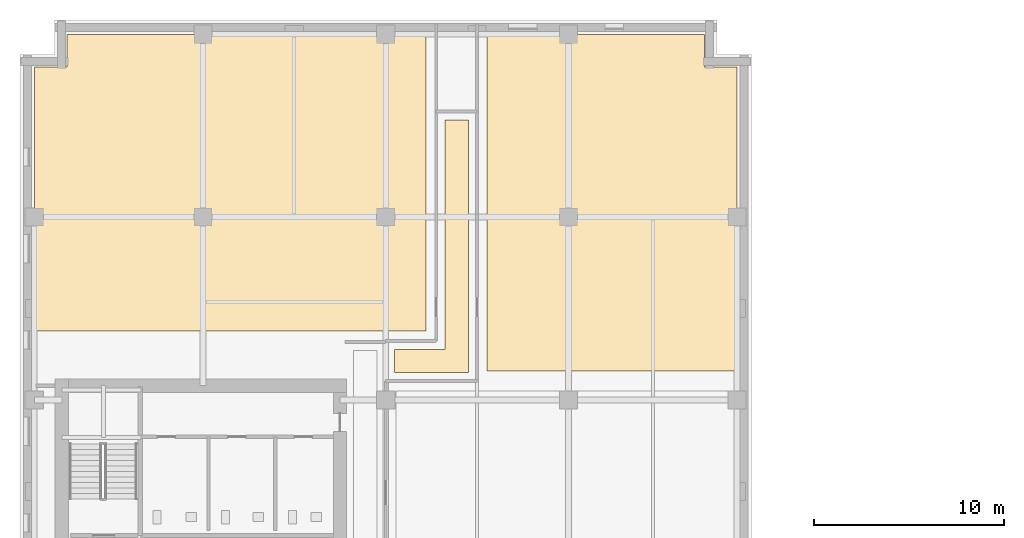
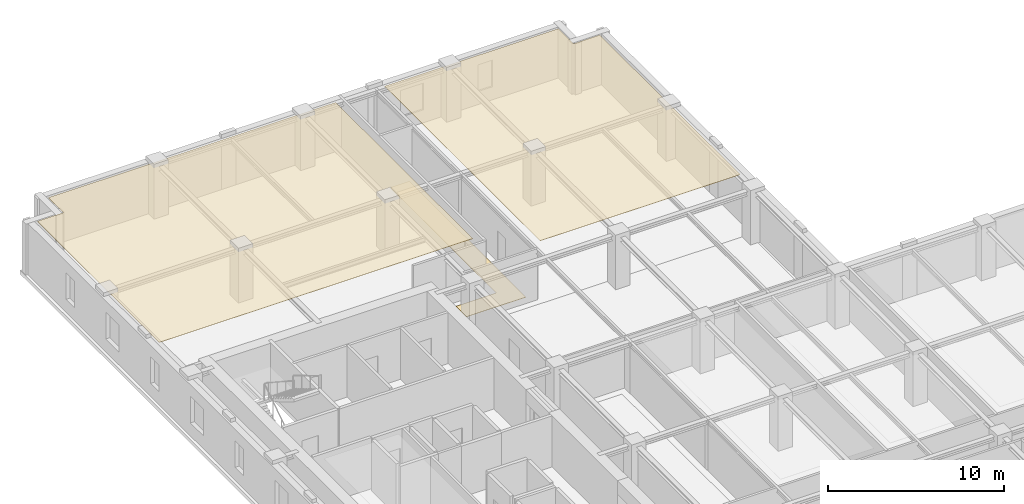
# One storey, part 12 of 13: 3 coverings.
"""IFC4 building model written with IfcOpenShell, lengths in metres."""

from ifc_helpers import new_model, si_unit, direction, frame, origin, place, context, subcontext, project, spatial, polyline, outline, extrude, material, layer, layer_set, type_object, element, save


model = new_model("IFC4")

# Units and contexts
model_context = context("Model", 3, precision=1e-05, world=origin(), true_north=direction((0.0, 1.0)))
body_context = subcontext(model_context, "Body", "Model", "MODEL_VIEW")
ifc_project = project(units=[si_unit("LENGTHUNIT", "METRE"), si_unit("AREAUNIT", "SQUARE_METRE"), si_unit("VOLUMEUNIT", "CUBIC_METRE"), si_unit("PLANEANGLEUNIT", "RADIAN"), si_unit("MASSUNIT", "GRAM", prefix="KILO")], contexts=[model_context])

# Site, building, storey
site_placement = place(None, origin())
site = spatial("IfcSite", under=ifc_project, at=site_placement, CompositionType="ELEMENT")
building_placement = place(site_placement, origin())
building = spatial("IfcBuilding", under=site, at=building_placement, Name="Norrvale University Quadrangle", CompositionType="ELEMENT")
storey_placement = place(building_placement, frame((0.0, 0.0, 175.0)))
storey = spatial("IfcBuildingStorey", under=building, at=storey_placement, Name="L44", CompositionType="ELEMENT", Elevation=175.0)

# Coverings
ifc_material_1 = material(Name="Perforated Acoustic Mineral Ceiling")
ifc_layer_1 = layer(ifc_material_1, 0.02490234375, Name="Perforated Acoustic Mineral Ceiling")
ifc_layer_set_1 = layer_set([ifc_layer_1], Name="Perforated Acoustic Mineral Ceiling")
covering_type_1 = type_object("IfcCoveringType", Name="Covering Acoustic Ceiling 25", PredefinedType="CEILING", material=ifc_layer_set_1)
covering_1_placement = place(storey_placement, frame((0.0, 0.0, 3.514892578125)))
element("IfcCovering", 1, at=covering_1_placement, inside=storey, type_object=covering_type_1, Name="Acoustic Ceiling RM-L44-NE01", PredefinedType="CEILING", context=body_context, shape_type="SweptSolid", body=[
    extrude(outline(polyline([(37.64990234375, 48.780029296875), (24.530029296875, 48.780029296875), (24.530029296875, 66.449951171875), (35.929931640625, 66.449951171875), (35.929931640625, 64.72998046875), (37.64990234375, 64.72998046875), (37.64990234375, 48.780029296875)])), origin(), (0.0, 0.0, 1.0), 0.025146484375),
])
covering_2_placement = place(storey_placement, frame((0.0, 0.0, 3.514892578125)))
element("IfcCovering", 2, at=covering_2_placement, inside=storey, type_object=covering_type_1, Name="Acoustic Ceiling RM-L44-NW01", PredefinedType="CEILING", context=body_context, shape_type="SweptSolid", body=[
    extrude(outline(polyline([(21.320068359375, 66.449951171875), (21.320068359375, 50.8798828125), (0.75, 50.8798828125), (0.75, 64.72998046875), (2.469970703125, 64.72998046875), (2.469970703125, 66.449951171875), (21.320068359375, 66.449951171875)])), origin(), (0.0, 0.0, 1.0), 0.025146484375),
])
ifc_material_2 = material(Name="Polished Terrazzo Flooring")
ifc_layer_2 = layer(ifc_material_2, 0.02490234375, Name="Polished Terrazzo Flooring")
ifc_layer_set_2 = layer_set([ifc_layer_2], Name="Polished Terrazzo Flooring")
covering_type_2 = type_object("IfcCoveringType", Name="Covering Terrazzo Floor 30", PredefinedType="FLOORING", material=ifc_layer_set_2)
covering_3_placement = place(storey_placement, origin())
element("IfcCovering", 3, at=covering_3_placement, inside=storey, type_object=covering_type_2, Name="Terrazzo Flooring RM-L44-NCJOG", PredefinedType="FLOORING", context=body_context, shape_type="SweptSolid", body=[
    extrude(outline(polyline([(19.64990234375, 48.699951171875), (19.64990234375, 49.89990234375), (22.300048828125, 49.89990234375), (22.300048828125, 61.949951171875), (23.550048828125, 61.949951171875), (23.550048828125, 48.699951171875), (19.64990234375, 48.699951171875)])), origin(), (0.0, 0.0, 1.0), 0.02490234375),
])

save(model, "model.ifc")
